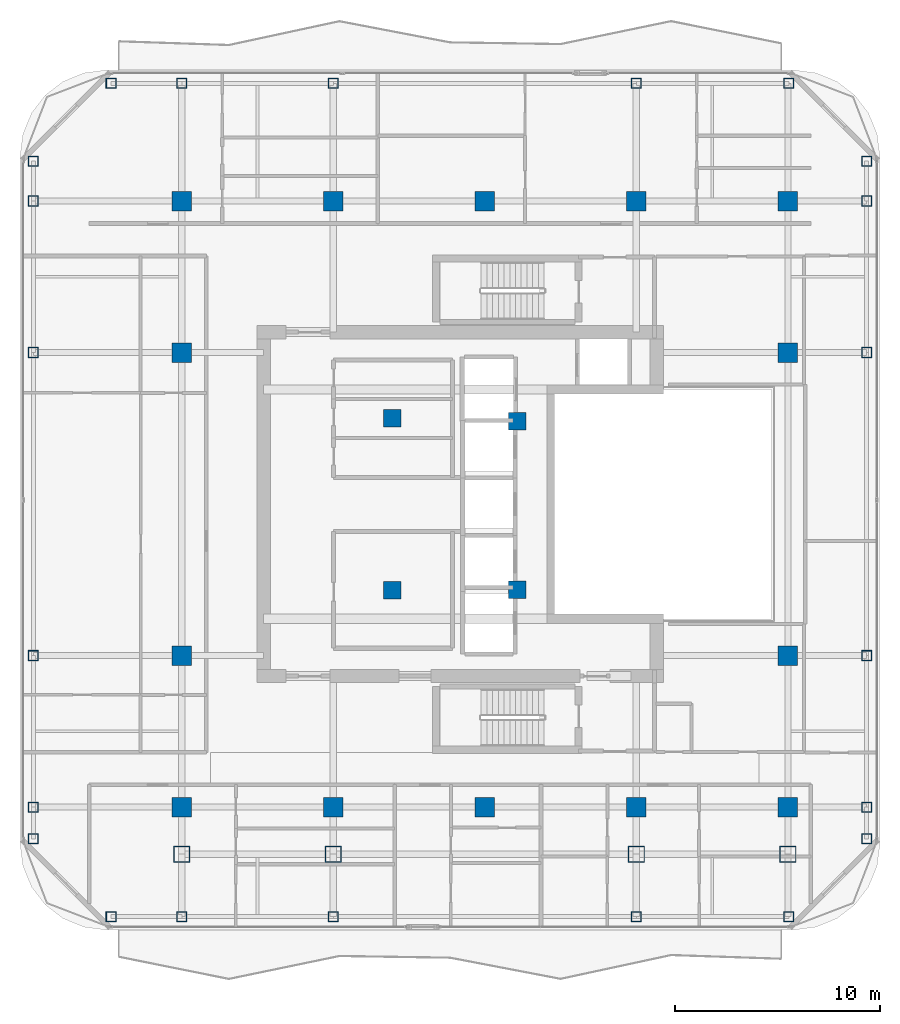
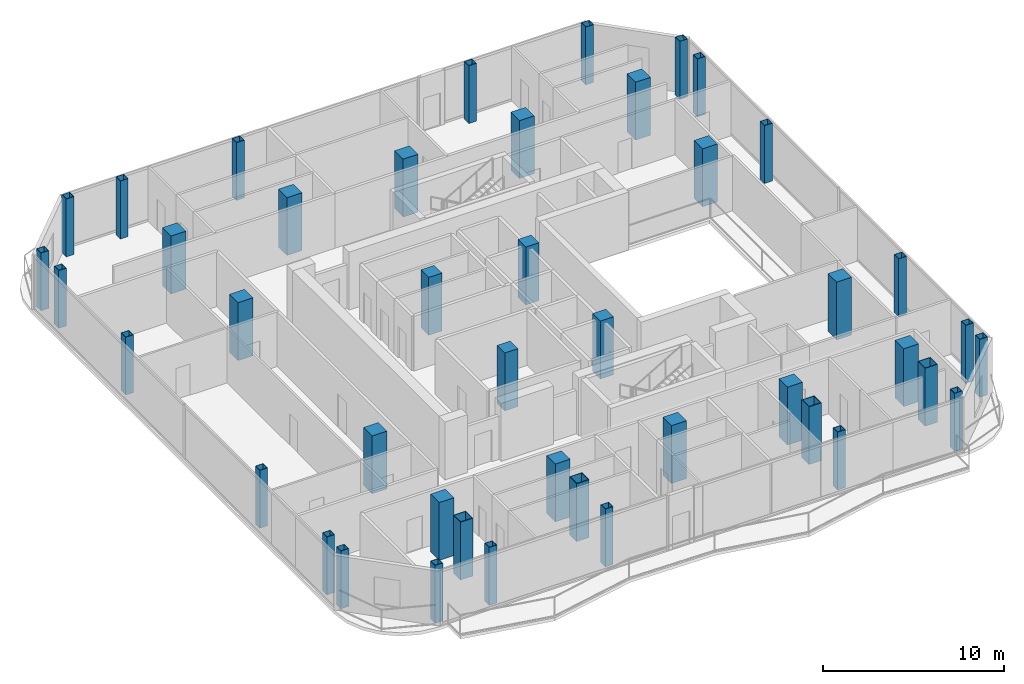
# One storey, part 1 of 22: 44 columns.
"""IFC4 building model written with IfcOpenShell, lengths in metres."""

from ifc_helpers import new_model, si_unit, direction, frame, origin, origin_2d, place, context, subcontext, project, spatial, rectangle, hollow_rectangle, extrude, material, material_profile, profile_set, type_object, element, save


model = new_model("IFC4")

# Units and contexts
model_context = context("Model", 3, precision=1e-05, world=origin(), true_north=direction((0.0, 1.0)))
body_context = subcontext(model_context, "Body", "Model", "MODEL_VIEW")
ifc_project = project(units=[si_unit("LENGTHUNIT", "METRE"), si_unit("AREAUNIT", "SQUARE_METRE"), si_unit("VOLUMEUNIT", "CUBIC_METRE"), si_unit("PLANEANGLEUNIT", "RADIAN"), si_unit("MASSUNIT", "GRAM", prefix="KILO")], contexts=[model_context])

# Site, building, storey
site_placement = place(None, origin())
site = spatial("IfcSite", under=ifc_project, at=site_placement, CompositionType="ELEMENT")
building_placement = place(site_placement, origin())
building = spatial("IfcBuilding", under=site, at=building_placement, Name="Khorvyn Point Tower", CompositionType="ELEMENT")
storey_placement = place(building_placement, frame((0.0, 0.0, 305.39990234375)))
storey = spatial("IfcBuildingStorey", under=building, at=storey_placement, Name="L75", CompositionType="ELEMENT", Elevation=305.39990234375)

# Columns
ifc_material_1 = material(Name="Concrete C40/50", Category="concrete")
ifc_material_profile_1 = material_profile(ifc_material_1, rectangle(XDim=0.85009765625, YDim=0.85009765625, at=origin_2d()))
ifc_profile_set_1 = profile_set([ifc_material_profile_1], Name="Concrete C40/50 RC850x850")
column_type_1 = type_object("IfcColumnType", Name="Concrete C40/50 Column RC850x850", PredefinedType="COLUMN", material=ifc_profile_set_1)
for number, where, z_axis, x_axis, name in (
    (1, (-4.52001953125, -4.199951171875, 0.0), (0.0, 0.0, 1.0), (1.0, 0.0, 0.0), "L75 Crown Core Spine Column 1"),
    (2, (1.580078125, -4.179931640625, 0.0), (0.0, 0.0, 1.0), (1.0, 0.0, 0.0), "L75 Crown Core Spine Column 2"),
    (3, (1.580078125, 4.050048828125, 0.0), (0.0, 0.0, 1.0), (1.0, 0.0, 0.0), "L75 Crown Core Spine Column 3"),
    (4, (-4.52001953125, 4.199951171875, 0.0), (0.0, 0.0, 1.0), (1.0, 0.0, 0.0), "L75 Crown Core Spine Column 4"),
):
    element("IfcColumn", number, at=place(storey_placement, frame(where, z_axis=z_axis, x_axis=x_axis)), inside=storey, type_object=column_type_1, Name=name, PredefinedType="COLUMN", context=body_context, shape_type="SweptSolid", body=[
        extrude(rectangle(XDim=0.85009765625, YDim=0.85009765625, at=origin_2d()), origin(), (0.0, 0.0, 1.0), 3.900146484375),
    ])
ifc_material_profile_2 = material_profile(ifc_material_1, rectangle(XDim=0.949951171875, YDim=0.949951171875, at=origin_2d()))
ifc_profile_set_2 = profile_set([ifc_material_profile_2], Name="Concrete C40/50 RC950x950")
column_type_2 = type_object("IfcColumnType", Name="Concrete C40/50 Column RC950x950", PredefinedType="COLUMN", material=ifc_profile_set_2)
for number, where, z_axis, x_axis, name in (
    (5, (-14.800048828125, -14.800048828125, 0.0), (0.0, 0.0, 1.0), (1.0, 0.0, 0.0), "L75 Mega-Column MC-01"),
    (6, (-7.39990234375, -14.800048828125, 0.0), (0.0, 0.0, 1.0), (1.0, 0.0, 0.0), "L75 Mega-Column MC-02"),
    (7, (0.0, -14.800048828125, 0.0), (0.0, 0.0, 1.0), (1.0, 0.0, 0.0), "L75 Mega-Column MC-03"),
    (8, (7.39990234375, -14.800048828125, 0.0), (0.0, 0.0, 1.0), (1.0, 0.0, 0.0), "L75 Mega-Column MC-04"),
    (9, (14.800048828125, -14.800048828125, 0.0), (0.0, 0.0, 1.0), (1.0, 0.0, 0.0), "L75 Mega-Column MC-05"),
    (10, (-14.800048828125, 14.800048828125, 0.0), (0.0, 0.0, 1.0), (1.0, 0.0, 0.0), "L75 Mega-Column MC-06"),
    (11, (-7.39990234375, 14.800048828125, 0.0), (0.0, 0.0, 1.0), (1.0, 0.0, 0.0), "L75 Mega-Column MC-07"),
    (12, (0.0, 14.800048828125, 0.0), (0.0, 0.0, 1.0), (1.0, 0.0, 0.0), "L75 Mega-Column MC-08"),
    (13, (7.39990234375, 14.800048828125, 0.0), (0.0, 0.0, 1.0), (1.0, 0.0, 0.0), "L75 Mega-Column MC-09"),
    (14, (14.800048828125, 14.800048828125, 0.0), (0.0, 0.0, 1.0), (1.0, 0.0, 0.0), "L75 Mega-Column MC-10"),
    (15, (-14.800048828125, -7.39990234375, 0.0), (0.0, 0.0, 1.0), (1.0, 0.0, 0.0), "L75 Mega-Column MC-11"),
    (16, (-14.800048828125, 7.39990234375, 0.0), (0.0, 0.0, 1.0), (1.0, 0.0, 0.0), "L75 Mega-Column MC-12"),
    (17, (14.800048828125, -7.39990234375, 0.0), (0.0, 0.0, 1.0), (1.0, 0.0, 0.0), "L75 Mega-Column MC-13"),
    (18, (14.800048828125, 7.39990234375, 0.0), (0.0, 0.0, 1.0), (1.0, 0.0, 0.0), "L75 Mega-Column MC-14"),
):
    element("IfcColumn", number, at=place(storey_placement, frame(where, z_axis=z_axis, x_axis=x_axis)), inside=storey, type_object=column_type_2, Name=name, PredefinedType="COLUMN", context=body_context, shape_type="SweptSolid", body=[
        extrude(rectangle(XDim=0.949951171875, YDim=0.949951171875, at=origin_2d()), origin(), (0.0, 0.0, 1.0), 3.900146484375),
    ])
ifc_material_2 = material(Name="Steel S355", Category="steel")
ifc_material_profile_3 = material_profile(ifc_material_2, hollow_rectangle(XDim=0.5, YDim=0.5, WallThickness=0.02490234375, at=origin_2d()))
ifc_profile_set_3 = profile_set([ifc_material_profile_3], Name="Steel S355 BOX500x500x25")
column_type_3 = type_object("IfcColumnType", Name="Steel S355 Structural Column BOX500x500x25", PredefinedType="COLUMN", material=ifc_profile_set_3)
for number, where, z_axis, x_axis, name in (
    (19, (-18.25, -20.14990234375, 0.0), (0.0, 0.0, 1.0), (1.0, 0.0, 0.0), "L75 Perimeter Tube Column TC-01"),
    (20, (14.85009765625, -20.14990234375, 0.0), (0.0, 0.0, 1.0), (1.0, 0.0, 0.0), "L75 Perimeter Tube Column TC-02"),
    (21, (-18.25, 20.550048828125, 0.0), (0.0, 0.0, 1.0), (1.0, 0.0, 0.0), "L75 Perimeter Tube Column TC-03"),
    (22, (14.85009765625, 20.550048828125, 0.0), (0.0, 0.0, 1.0), (1.0, 0.0, 0.0), "L75 Perimeter Tube Column TC-04"),
    (23, (-22.050048828125, -16.35009765625, 0.0), (0.0, 0.0, 1.0), (1.0, 0.0, 0.0), "L75 Perimeter Tube Column TC-05"),
    (24, (-22.050048828125, 16.75, 0.0), (0.0, 0.0, 1.0), (1.0, 0.0, 0.0), "L75 Perimeter Tube Column TC-06"),
    (25, (18.64990234375, -16.35009765625, 0.0), (0.0, 0.0, 1.0), (1.0, 0.0, 0.0), "L75 Perimeter Tube Column TC-07"),
    (26, (18.64990234375, 16.75, 0.0), (0.0, 0.0, 1.0), (1.0, 0.0, 0.0), "L75 Perimeter Tube Column TC-08"),
    (27, (-14.800048828125, -20.14990234375, 0.0), (0.0, 0.0, 1.0), (1.0, 0.0, 0.0), "L75 Perimeter Tube Column TC-09"),
    (28, (-14.800048828125, 20.550048828125, 0.0), (0.0, 0.0, 1.0), (1.0, 0.0, 0.0), "L75 Perimeter Tube Column TC-10"),
    (29, (-7.39990234375, -20.14990234375, 0.0), (0.0, 0.0, 1.0), (1.0, 0.0, 0.0), "L75 Perimeter Tube Column TC-11"),
    (30, (-7.39990234375, 20.550048828125, 0.0), (0.0, 0.0, 1.0), (1.0, 0.0, 0.0), "L75 Perimeter Tube Column TC-12"),
    (31, (7.39990234375, -20.14990234375, 0.0), (0.0, 0.0, 1.0), (1.0, 0.0, 0.0), "L75 Perimeter Tube Column TC-13"),
    (32, (7.39990234375, 20.550048828125, 0.0), (0.0, 0.0, 1.0), (1.0, 0.0, 0.0), "L75 Perimeter Tube Column TC-14"),
    (33, (-22.050048828125, -14.800048828125, 0.0), (0.0, 0.0, 1.0), (1.0, 0.0, 0.0), "L75 Perimeter Tube Column TC-15"),
    (34, (18.64990234375, -14.800048828125, 0.0), (0.0, 0.0, 1.0), (1.0, 0.0, 0.0), "L75 Perimeter Tube Column TC-16"),
    (35, (-22.050048828125, -7.39990234375, 0.0), (0.0, 0.0, 1.0), (1.0, 0.0, 0.0), "L75 Perimeter Tube Column TC-17"),
    (36, (18.64990234375, -7.39990234375, 0.0), (0.0, 0.0, 1.0), (1.0, 0.0, 0.0), "L75 Perimeter Tube Column TC-18"),
    (37, (-22.050048828125, 7.39990234375, 0.0), (0.0, 0.0, 1.0), (1.0, 0.0, 0.0), "L75 Perimeter Tube Column TC-19"),
    (38, (18.64990234375, 7.39990234375, 0.0), (0.0, 0.0, 1.0), (1.0, 0.0, 0.0), "L75 Perimeter Tube Column TC-20"),
    (39, (-22.050048828125, 14.800048828125, 0.0), (0.0, 0.0, 1.0), (1.0, 0.0, 0.0), "L75 Perimeter Tube Column TC-21"),
    (40, (18.64990234375, 14.800048828125, 0.0), (0.0, 0.0, 1.0), (1.0, 0.0, 0.0), "L75 Perimeter Tube Column TC-22"),
):
    element("IfcColumn", number, at=place(storey_placement, frame(where, z_axis=z_axis, x_axis=x_axis)), inside=storey, type_object=column_type_3, Name=name, PredefinedType="COLUMN", context=body_context, shape_type="SweptSolid", body=[
        extrude(hollow_rectangle(XDim=0.5, YDim=0.5, WallThickness=0.02490234375, at=origin_2d()), origin(), (0.0, 0.0, 1.0), 3.900146484375),
    ])
ifc_material_3 = material(Name="Steel S450", Category="steel")
ifc_material_profile_4 = material_profile(ifc_material_3, hollow_rectangle(XDim=0.800048828125, YDim=0.800048828125, WallThickness=0.035888671875, at=origin_2d()))
ifc_profile_set_4 = profile_set([ifc_material_profile_4], Name="Steel S450 BOX800x800x36")
column_type_4 = type_object("IfcColumnType", Name="Steel S450 Structural Column BOX800x800x36", PredefinedType="COLUMN", material=ifc_profile_set_4)
for number, where, z_axis, x_axis, name in (
    (41, (-14.800048828125, -17.10009765625, 0.0), (0.0, 0.0, 1.0), (1.0, 0.0, 0.0), "L75 Intermediate Column ICS--14"),
    (42, (-7.39990234375, -17.10009765625, 0.0), (0.0, 0.0, 1.0), (1.0, 0.0, 0.0), "L75 Intermediate Column ICS--7"),
    (43, (7.39990234375, -17.10009765625, 0.0), (0.0, 0.0, 1.0), (1.0, 0.0, 0.0), "L75 Intermediate Column ICS-7"),
    (44, (14.800048828125, -17.10009765625, 0.0), (0.0, 0.0, 1.0), (1.0, 0.0, 0.0), "L75 Intermediate Column ICS-14"),
):
    element("IfcColumn", number, at=place(storey_placement, frame(where, z_axis=z_axis, x_axis=x_axis)), inside=storey, type_object=column_type_4, Name=name, PredefinedType="COLUMN", context=body_context, shape_type="SweptSolid", body=[
        extrude(hollow_rectangle(XDim=0.800048828125, YDim=0.800048828125, WallThickness=0.035888671875, at=origin_2d()), origin(), (0.0, 0.0, 1.0), 3.900146484375),
    ])

save(model, "model.ifc")
